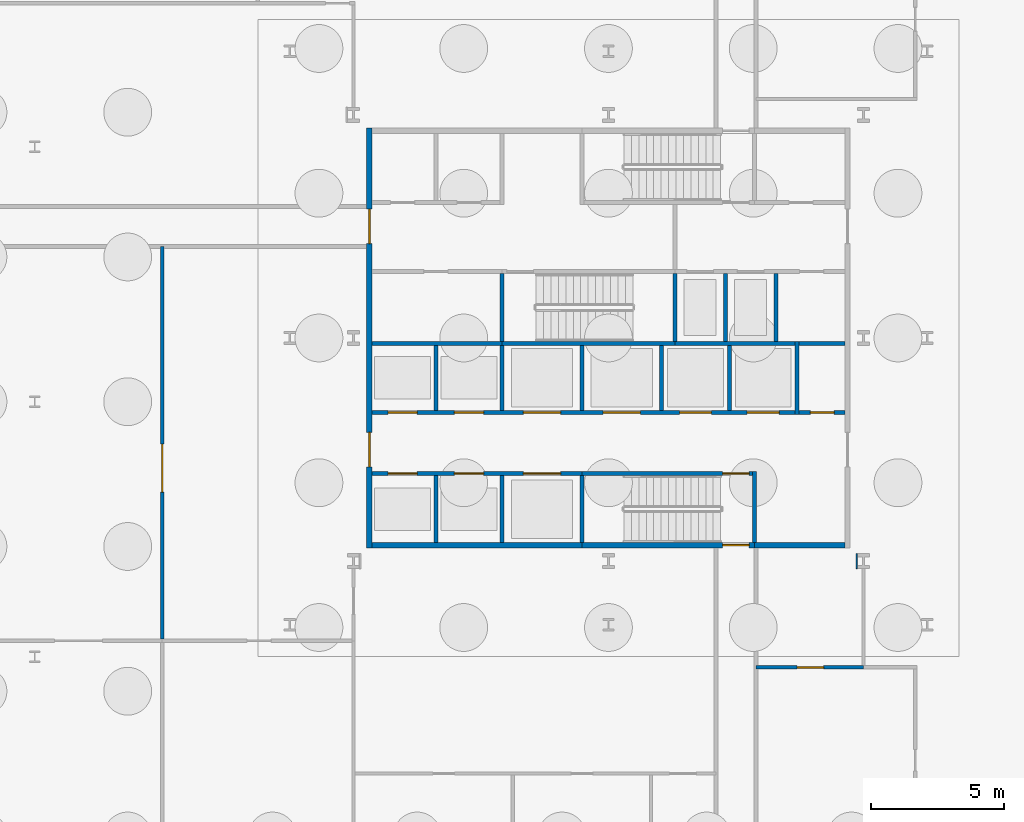
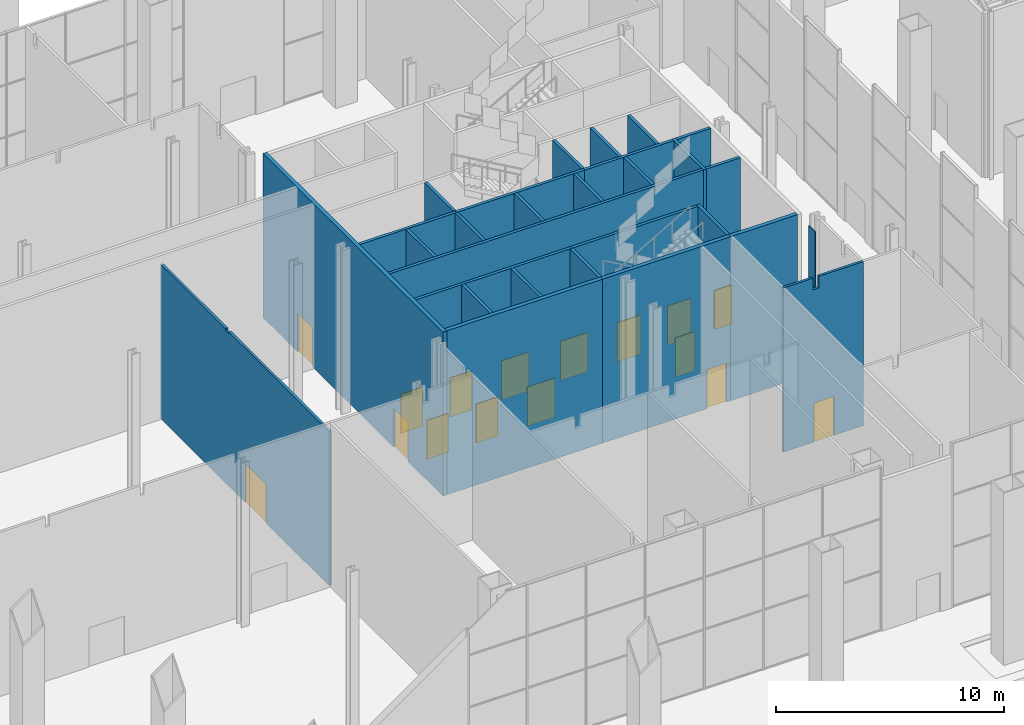
# One storey, part 24 of 38: 29 walls, 16 doors, 16 openings.
"""IFC4 building model written with IfcOpenShell, lengths in metres."""

from ifc_helpers import new_model, si_unit, direction, frame, frame_2d, origin, place, context, subcontext, project, spatial, polyline, rectangle, outline, extrude, material, layer, layer_set, type_object, element, fill, save


model = new_model("IFC4")

# Units and contexts
model_context = context("Model", 3, precision=1e-05, world=origin(), true_north=direction((0.0, 1.0)))
body_context = subcontext(model_context, "Body", "Model", "MODEL_VIEW")
ifc_project = project(units=[si_unit("LENGTHUNIT", "METRE"), si_unit("AREAUNIT", "SQUARE_METRE"), si_unit("VOLUMEUNIT", "CUBIC_METRE"), si_unit("PLANEANGLEUNIT", "RADIAN"), si_unit("MASSUNIT", "GRAM", prefix="KILO")], contexts=[model_context])

# Site, building, storey
site_placement = place(None, origin())
site = spatial("IfcSite", under=ifc_project, at=site_placement, CompositionType="ELEMENT")
building_placement = place(site_placement, origin())
building = spatial("IfcBuilding", under=site, at=building_placement, Name="Cairn Pilgrim Tower", CompositionType="ELEMENT")
storey_placement = place(building_placement, origin())
storey = spatial("IfcBuildingStorey", under=building, at=storey_placement, Name="L00", CompositionType="ELEMENT", Elevation=0.0)

# Walls
ifc_material_1 = material(Name="Concrete C32/40", Category="concrete")
ifc_layer_1 = layer(ifc_material_1, 0.199951171875)
ifc_layer_set_1 = layer_set([ifc_layer_1], Name="CORE OUTER WALL 200 EI 120")
wall_type_1 = type_object("IfcWallType", Name="CORE OUTER WALL 200 EI 120", PredefinedType="SOLIDWALL", material=ifc_layer_set_1)
wall_1_placement = place(storey_placement, frame((-1.699951171875, -5.39990234375, 0.0), z_axis=(0.0, 0.0, 1.0), x_axis=(1.0, 0.0, 0.0)))
element("IfcWall", 1, at=wall_1_placement, inside=storey, type_object=wall_type_1, Name="CW:L00:H01-1", PredefinedType="SOLIDWALL", context=body_context, shape_type="SweptSolid", body=[
    extrude(rectangle(XDim=7.89990234375, YDim=0.199951171875, at=frame_2d((3.949951171875, 0.0))), origin(), (0.0, 0.0, 1.0), 8.800048828125),
])
wall_2_placement = place(storey_placement, frame((12.699951171875, -5.39990234375, 0.0), z_axis=(0.0, 0.0, 1.0), x_axis=(1.0, 0.0, 0.0)))
element("IfcWall", 2, at=wall_2_placement, inside=storey, type_object=wall_type_1, Name="CW:L00:H01-3", PredefinedType="SOLIDWALL", context=body_context, shape_type="SweptSolid", body=[
    extrude(rectangle(XDim=3.400146484375, YDim=0.199951171875, at=frame_2d((1.7001953125, 0.0))), origin(), (0.0, 0.0, 1.0), 8.800048828125),
])

# Wall, openings, doors
wall_3_placement = place(storey_placement, frame((-1.800048828125, -5.5, 0.0), z_axis=(0.0, 0.0, 1.0), x_axis=(0.0, 1.0, 0.0)))
wall_3 = element("IfcWall", 3, at=wall_3_placement, inside=storey, type_object=wall_type_1, Name="CW:L00:V11", PredefinedType="SOLIDWALL", context=body_context, shape_type="SweptSolid", body=[
    extrude(rectangle(XDim=15.800048828125, YDim=0.199951171875, at=frame_2d((7.89990234375, 0.0))), origin(), (0.0, 0.0, 1.0), 8.800048828125),
])
opening_1_placement = place(wall_3_placement, frame((3.050048828125, 0.0, 0.0)))
opening_1 = element("IfcOpeningElement", 4, at=opening_1_placement, cuts=wall_3, Name="Opening CD-W1", PredefinedType="OPENING", context=body_context, shape_type="SweptSolid", body=[
    extrude(rectangle(XDim=1.300048828125, YDim=2.10009765625, at=frame_2d((0.64990234375, 1.050048828125))), frame((0.0, 0.10986328125, 0.0), z_axis=(0.0, -1.0, 0.0), x_axis=(1.0, 0.0, 0.0)), (0.0, 0.0, 1.0), 0.219970703125),
])
opening_2_placement = place(wall_3_placement, frame((11.449951171875, 0.0, 0.0)))
opening_2 = element("IfcOpeningElement", 5, at=opening_2_placement, cuts=wall_3, Name="Opening CD-W2", PredefinedType="OPENING", context=body_context, shape_type="SweptSolid", body=[
    extrude(rectangle(XDim=1.300048828125, YDim=2.10009765625, at=frame_2d((0.64990234375, 1.050048828125))), frame((0.0, 0.10986328125, 0.0), z_axis=(0.0, -1.0, 0.0), x_axis=(1.0, 0.0, 0.0)), (0.0, 0.0, 1.0), 0.219970703125),
])
ifc_material_2 = material(Name="Painted steel", Category="steel")
door_type_1 = type_object("IfcDoorType", Name="CORE LOBBY DOOR 1300x2100", OperationType="DOUBLE_DOOR_SINGLE_SWING", PredefinedType="DOOR", material=ifc_material_2)
door_1_placement = place(opening_1_placement, origin())
door_1 = element("IfcDoor", 6, at=door_1_placement, inside=storey, type_object=door_type_1, Name="CD-W1", OperationType="DOUBLE_DOOR_SINGLE_SWING", OverallHeight=2.10009765625, OverallWidth=1.300048828125, PredefinedType="DOOR", context=body_context, shape_type="SweptSolid", body=[
    extrude(rectangle(XDim=1.300048828125, YDim=2.10009765625, at=frame_2d((0.64990234375, 1.050048828125))), frame((0.0, 0.02490234375, 0.0), z_axis=(0.0, -1.0, 0.0), x_axis=(1.0, 0.0, 0.0)), (0.0, 0.0, 1.0), 0.050048828125),
])
fill(opening_1, door_1)
door_2_placement = place(opening_2_placement, origin())
door_2 = element("IfcDoor", 7, at=door_2_placement, inside=storey, type_object=door_type_1, Name="CD-W2", OperationType="DOUBLE_DOOR_SINGLE_SWING", OverallHeight=2.10009765625, OverallWidth=1.300048828125, PredefinedType="DOOR", context=body_context, shape_type="SweptSolid", body=[
    extrude(rectangle(XDim=1.300048828125, YDim=2.10009765625, at=frame_2d((0.64990234375, 1.050048828125))), frame((0.0, 0.02490234375, 0.0), z_axis=(0.0, -1.0, 0.0), x_axis=(1.0, 0.0, 0.0)), (0.0, 0.0, 1.0), 0.050048828125),
])
fill(opening_2, door_2)

# Wall, opening, door
ifc_layer_2 = layer(ifc_material_1, 0.14990234375)
ifc_layer_set_2 = layer_set([ifc_layer_2], Name="CORE PARTITION 150 EI 60")
wall_type_2 = type_object("IfcWallType", Name="CORE PARTITION 150 EI 60", PredefinedType="PARTITIONING", material=ifc_layer_set_2)
wall_4_placement = place(storey_placement, frame((14.375, -0.39990234375, 0.0), z_axis=(0.0, 0.0, 1.0), x_axis=(1.0, 0.0, 0.0)))
wall_4 = element("IfcWall", 8, at=wall_4_placement, inside=storey, type_object=wall_type_2, Name="CW:L00:H04", PredefinedType="PARTITIONING", context=body_context, shape_type="SweptSolid", body=[
    extrude(rectangle(XDim=1.72509765625, YDim=0.14990234375, at=frame_2d((0.862548828125, 0.0))), origin(), (0.0, 0.0, 1.0), 8.800048828125),
])
opening_3_placement = place(wall_4_placement, frame((0.425048828125, 0.0, 0.0)))
opening_3 = element("IfcOpeningElement", 9, at=opening_3_placement, cuts=wall_4, Name="Opening RD-R2E", PredefinedType="OPENING", context=body_context, shape_type="SweptSolid", body=[
    extrude(rectangle(XDim=0.89990234375, YDim=2.10009765625, at=frame_2d((0.449951171875, 1.050048828125))), frame((0.0, 0.0849609375, 0.0), z_axis=(0.0, -1.0, 0.0), x_axis=(1.0, 0.0, 0.0)), (0.0, 0.0, 1.0), 0.169921875),
])
door_type_2 = type_object("IfcDoorType", Name="SERVICE ROOM DOOR 900x2100", OperationType="SINGLE_SWING_LEFT", PredefinedType="DOOR", material=ifc_material_2)
door_3_placement = place(opening_3_placement, origin())
door_3 = element("IfcDoor", 10, at=door_3_placement, inside=storey, type_object=door_type_2, Name="RD-R2E", OperationType="SINGLE_SWING_RIGHT", OverallHeight=2.10009765625, OverallWidth=0.89990234375, PredefinedType="DOOR", context=body_context, shape_type="SweptSolid", body=[
    extrude(rectangle(XDim=0.89990234375, YDim=2.10009765625, at=frame_2d((0.449951171875, 1.050048828125))), frame((0.0, 0.02490234375, 0.0), z_axis=(0.0, -1.0, 0.0), x_axis=(1.0, 0.0, 0.0)), (0.0, 0.0, 1.0), 0.050048828125),
])
fill(opening_3, door_3)

# Wall
wall_5_placement = place(storey_placement, frame((14.375, 2.199951171875, 0.0), z_axis=(0.0, 0.0, 1.0), x_axis=(1.0, 0.0, 0.0)))
element("IfcWall", 11, at=wall_5_placement, inside=storey, type_object=wall_type_2, Name="CW:L00:H06", PredefinedType="PARTITIONING", context=body_context, shape_type="SweptSolid", body=[
    extrude(rectangle(XDim=1.72509765625, YDim=0.14990234375, at=frame_2d((0.862548828125, 0.0))), origin(), (0.0, 0.0, 1.0), 8.800048828125),
])

# Wall, openings, doors
ifc_layer_3 = layer(ifc_material_1, 0.14990234375)
ifc_layer_set_3 = layer_set([ifc_layer_3], Name="CORE SHAFT WALL 150 EI 120")
wall_type_3 = type_object("IfcWallType", Name="CORE SHAFT WALL 150 EI 120", PredefinedType="SOLIDWALL", material=ifc_layer_set_3)
wall_6_placement = place(storey_placement, frame((-1.699951171875, -2.699951171875, 0.0), z_axis=(0.0, 0.0, 1.0), x_axis=(1.0, 0.0, 0.0)))
wall_6 = element("IfcWall", 12, at=wall_6_placement, inside=storey, type_object=wall_type_3, Name="CW:L00:H02-1", PredefinedType="SOLIDWALL", context=body_context, shape_type="SweptSolid", body=[
    extrude(rectangle(XDim=7.89990234375, YDim=0.14990234375, at=frame_2d((3.949951171875, 0.0))), origin(), (0.0, 0.0, 1.0), 8.800048828125),
])
opening_4_placement = place(wall_6_placement, frame((0.60009765625, 0.0, 0.0)))
opening_4 = element("IfcOpeningElement", 13, at=opening_4_placement, cuts=wall_6, Name="Opening LD-LR1", PredefinedType="OPENING", context=body_context, shape_type="SweptSolid", body=[
    extrude(rectangle(XDim=1.10009765625, YDim=2.10009765625, at=frame_2d((0.550048828125, 1.050048828125))), frame((0.0, 0.0849609375, 0.0), z_axis=(0.0, -1.0, 0.0), x_axis=(1.0, 0.0, 0.0)), (0.0, 0.0, 1.0), 0.169921875),
])
opening_5_placement = place(wall_6_placement, frame((3.10009765625, 0.0, 0.0)))
opening_5 = element("IfcOpeningElement", 14, at=opening_5_placement, cuts=wall_6, Name="Opening LD-LR2", PredefinedType="OPENING", context=body_context, shape_type="SweptSolid", body=[
    extrude(rectangle(XDim=1.10009765625, YDim=2.10009765625, at=frame_2d((0.550048828125, 1.050048828125))), frame((0.0, 0.0849609375, 0.0), z_axis=(0.0, -1.0, 0.0), x_axis=(1.0, 0.0, 0.0)), (0.0, 0.0, 1.0), 0.169921875),
])
opening_6_placement = place(wall_6_placement, frame((5.699951171875, 0.0, 0.0)))
opening_6 = element("IfcOpeningElement", 15, at=opening_6_placement, cuts=wall_6, Name="Opening LD-SH1", PredefinedType="OPENING", context=body_context, shape_type="SweptSolid", body=[
    extrude(rectangle(XDim=1.39990234375, YDim=2.10009765625, at=frame_2d((0.699951171875, 1.050048828125))), frame((0.0, 0.0849609375, 0.0), z_axis=(0.0, -1.0, 0.0), x_axis=(1.0, 0.0, 0.0)), (0.0, 0.0, 1.0), 0.169921875),
])
ifc_material_3 = material(Name="Stainless steel", Category="steel")
door_type_3 = type_object("IfcDoorType", Name="LIFT LANDING DOOR 1100x2100", OperationType="DOUBLE_DOOR_SLIDING", PredefinedType="DOOR", material=ifc_material_3)
door_4_placement = place(opening_4_placement, origin())
door_4 = element("IfcDoor", 16, at=door_4_placement, inside=storey, type_object=door_type_3, Name="LANDING DOOR LR1", OperationType="DOUBLE_DOOR_SLIDING", OverallHeight=2.10009765625, OverallWidth=1.10009765625, PredefinedType="DOOR", context=body_context, shape_type="SweptSolid", body=[
    extrude(rectangle(XDim=1.10009765625, YDim=2.10009765625, at=frame_2d((0.550048828125, 1.050048828125))), frame((0.0, 0.02490234375, 0.0), z_axis=(0.0, -1.0, 0.0), x_axis=(1.0, 0.0, 0.0)), (0.0, 0.0, 1.0), 0.050048828125),
])
fill(opening_4, door_4)
door_5_placement = place(opening_5_placement, origin())
door_5 = element("IfcDoor", 17, at=door_5_placement, inside=storey, type_object=door_type_3, Name="LANDING DOOR LR2", OperationType="DOUBLE_DOOR_SLIDING", OverallHeight=2.10009765625, OverallWidth=1.10009765625, PredefinedType="DOOR", context=body_context, shape_type="SweptSolid", body=[
    extrude(rectangle(XDim=1.10009765625, YDim=2.10009765625, at=frame_2d((0.550048828125, 1.050048828125))), frame((0.0, 0.02490234375, 0.0), z_axis=(0.0, -1.0, 0.0), x_axis=(1.0, 0.0, 0.0)), (0.0, 0.0, 1.0), 0.050048828125),
])
fill(opening_5, door_5)
door_type_4 = type_object("IfcDoorType", Name="LIFT LANDING DOOR 1400x2100", OperationType="DOUBLE_DOOR_SLIDING", PredefinedType="DOOR", material=ifc_material_3)
door_6_placement = place(opening_6_placement, origin())
door_6 = element("IfcDoor", 18, at=door_6_placement, inside=storey, type_object=door_type_4, Name="LANDING DOOR SH1", OperationType="DOUBLE_DOOR_SLIDING", OverallHeight=2.10009765625, OverallWidth=1.39990234375, PredefinedType="DOOR", context=body_context, shape_type="SweptSolid", body=[
    extrude(rectangle(XDim=1.39990234375, YDim=2.10009765625, at=frame_2d((0.699951171875, 1.050048828125))), frame((0.0, 0.02490234375, 0.0), z_axis=(0.0, -1.0, 0.0), x_axis=(1.0, 0.0, 0.0)), (0.0, 0.0, 1.0), 0.050048828125),
])
fill(opening_6, door_6)

wall_7_placement = place(storey_placement, frame((-1.699951171875, -0.39990234375, 0.0), z_axis=(0.0, 0.0, 1.0), x_axis=(1.0, 0.0, 0.0)))
wall_7 = element("IfcWall", 19, at=wall_7_placement, inside=storey, type_object=wall_type_3, Name="CW:L00:H03", PredefinedType="SOLIDWALL", context=body_context, shape_type="SweptSolid", body=[
    extrude(rectangle(XDim=15.925048828125, YDim=0.14990234375, at=frame_2d((7.96240234375, 0.0))), origin(), (0.0, 0.0, 1.0), 8.800048828125),
])
opening_7_placement = place(wall_7_placement, frame((0.60009765625, 0.0, 0.0)))
opening_7 = element("IfcOpeningElement", 20, at=opening_7_placement, cuts=wall_7, Name="Opening LD-LR3", PredefinedType="OPENING", context=body_context, shape_type="SweptSolid", body=[
    extrude(rectangle(XDim=1.10009765625, YDim=2.10009765625, at=frame_2d((0.550048828125, 1.050048828125))), frame((0.0, 0.0849609375, 0.0), z_axis=(0.0, -1.0, 0.0), x_axis=(1.0, 0.0, 0.0)), (0.0, 0.0, 1.0), 0.169921875),
])
opening_8_placement = place(wall_7_placement, frame((3.10009765625, 0.0, 0.0)))
opening_8 = element("IfcOpeningElement", 21, at=opening_8_placement, cuts=wall_7, Name="Opening LD-LR4", PredefinedType="OPENING", context=body_context, shape_type="SweptSolid", body=[
    extrude(rectangle(XDim=1.10009765625, YDim=2.10009765625, at=frame_2d((0.550048828125, 1.050048828125))), frame((0.0, 0.0849609375, 0.0), z_axis=(0.0, -1.0, 0.0), x_axis=(1.0, 0.0, 0.0)), (0.0, 0.0, 1.0), 0.169921875),
])
opening_9_placement = place(wall_7_placement, frame((5.699951171875, 0.0, 0.0)))
opening_9 = element("IfcOpeningElement", 22, at=opening_9_placement, cuts=wall_7, Name="Opening LD-SH2", PredefinedType="OPENING", context=body_context, shape_type="SweptSolid", body=[
    extrude(rectangle(XDim=1.39990234375, YDim=2.10009765625, at=frame_2d((0.699951171875, 1.050048828125))), frame((0.0, 0.0849609375, 0.0), z_axis=(0.0, -1.0, 0.0), x_axis=(1.0, 0.0, 0.0)), (0.0, 0.0, 1.0), 0.169921875),
])
opening_10_placement = place(wall_7_placement, frame((8.699951171875, 0.0, 0.0)))
opening_10 = element("IfcOpeningElement", 23, at=opening_10_placement, cuts=wall_7, Name="Opening LD-SH3", PredefinedType="OPENING", context=body_context, shape_type="SweptSolid", body=[
    extrude(rectangle(XDim=1.39990234375, YDim=2.10009765625, at=frame_2d((0.699951171875, 1.050048828125))), frame((0.0, 0.0849609375, 0.0), z_axis=(0.0, -1.0, 0.0), x_axis=(1.0, 0.0, 0.0)), (0.0, 0.0, 1.0), 0.169921875),
])
opening_11_placement = place(wall_7_placement, frame((11.574951171875, 0.0, 0.0)))
opening_11 = element("IfcOpeningElement", 24, at=opening_11_placement, cuts=wall_7, Name="Opening LD-SV1", PredefinedType="OPENING", context=body_context, shape_type="SweptSolid", body=[
    extrude(rectangle(XDim=1.199951171875, YDim=2.10009765625, at=frame_2d((0.60009765625, 1.050048828125))), frame((0.0, 0.0849609375, 0.0), z_axis=(0.0, -1.0, 0.0), x_axis=(1.0, 0.0, 0.0)), (0.0, 0.0, 1.0), 0.169921875),
])
opening_12_placement = place(wall_7_placement, frame((14.125, 0.0, 0.0)))
opening_12 = element("IfcOpeningElement", 25, at=opening_12_placement, cuts=wall_7, Name="Opening LD-SV2", PredefinedType="OPENING", context=body_context, shape_type="SweptSolid", body=[
    extrude(rectangle(XDim=1.199951171875, YDim=2.10009765625, at=frame_2d((0.60009765625, 1.050048828125))), frame((0.0, 0.0849609375, 0.0), z_axis=(0.0, -1.0, 0.0), x_axis=(1.0, 0.0, 0.0)), (0.0, 0.0, 1.0), 0.169921875),
])
door_7_placement = place(opening_7_placement, origin())
door_7 = element("IfcDoor", 26, at=door_7_placement, inside=storey, type_object=door_type_3, Name="LANDING DOOR LR3", OperationType="DOUBLE_DOOR_SLIDING", OverallHeight=2.10009765625, OverallWidth=1.10009765625, PredefinedType="DOOR", context=body_context, shape_type="SweptSolid", body=[
    extrude(rectangle(XDim=1.10009765625, YDim=2.10009765625, at=frame_2d((0.550048828125, 1.050048828125))), frame((0.0, 0.02490234375, 0.0), z_axis=(0.0, -1.0, 0.0), x_axis=(1.0, 0.0, 0.0)), (0.0, 0.0, 1.0), 0.050048828125),
])
fill(opening_7, door_7)
door_8_placement = place(opening_8_placement, origin())
door_8 = element("IfcDoor", 27, at=door_8_placement, inside=storey, type_object=door_type_3, Name="LANDING DOOR LR4", OperationType="DOUBLE_DOOR_SLIDING", OverallHeight=2.10009765625, OverallWidth=1.10009765625, PredefinedType="DOOR", context=body_context, shape_type="SweptSolid", body=[
    extrude(rectangle(XDim=1.10009765625, YDim=2.10009765625, at=frame_2d((0.550048828125, 1.050048828125))), frame((0.0, 0.02490234375, 0.0), z_axis=(0.0, -1.0, 0.0), x_axis=(1.0, 0.0, 0.0)), (0.0, 0.0, 1.0), 0.050048828125),
])
fill(opening_8, door_8)
door_type_5 = type_object("IfcDoorType", Name="LIFT LANDING DOOR 1200x2100", OperationType="DOUBLE_DOOR_SLIDING", PredefinedType="DOOR", material=ifc_material_3)
door_9_placement = place(opening_11_placement, origin())
door_9 = element("IfcDoor", 28, at=door_9_placement, inside=storey, type_object=door_type_5, Name="LANDING DOOR SV1", OperationType="DOUBLE_DOOR_SLIDING", OverallHeight=2.10009765625, OverallWidth=1.199951171875, PredefinedType="DOOR", context=body_context, shape_type="SweptSolid", body=[
    extrude(rectangle(XDim=1.199951171875, YDim=2.10009765625, at=frame_2d((0.60009765625, 1.050048828125))), frame((0.0, 0.02490234375, 0.0), z_axis=(0.0, -1.0, 0.0), x_axis=(1.0, 0.0, 0.0)), (0.0, 0.0, 1.0), 0.050048828125),
])
fill(opening_11, door_9)
door_10_placement = place(opening_12_placement, origin())
door_10 = element("IfcDoor", 29, at=door_10_placement, inside=storey, type_object=door_type_5, Name="LANDING DOOR SV2", OperationType="DOUBLE_DOOR_SLIDING", OverallHeight=2.10009765625, OverallWidth=1.199951171875, PredefinedType="DOOR", context=body_context, shape_type="SweptSolid", body=[
    extrude(rectangle(XDim=1.199951171875, YDim=2.10009765625, at=frame_2d((0.60009765625, 1.050048828125))), frame((0.0, 0.02490234375, 0.0), z_axis=(0.0, -1.0, 0.0), x_axis=(1.0, 0.0, 0.0)), (0.0, 0.0, 1.0), 0.050048828125),
])
fill(opening_12, door_10)
door_11_placement = place(opening_9_placement, origin())
door_11 = element("IfcDoor", 30, at=door_11_placement, inside=storey, type_object=door_type_4, Name="LANDING DOOR SH2", OperationType="DOUBLE_DOOR_SLIDING", OverallHeight=2.10009765625, OverallWidth=1.39990234375, PredefinedType="DOOR", context=body_context, shape_type="SweptSolid", body=[
    extrude(rectangle(XDim=1.39990234375, YDim=2.10009765625, at=frame_2d((0.699951171875, 1.050048828125))), frame((0.0, 0.02490234375, 0.0), z_axis=(0.0, -1.0, 0.0), x_axis=(1.0, 0.0, 0.0)), (0.0, 0.0, 1.0), 0.050048828125),
])
fill(opening_9, door_11)
door_12_placement = place(opening_10_placement, origin())
door_12 = element("IfcDoor", 31, at=door_12_placement, inside=storey, type_object=door_type_4, Name="LANDING DOOR SH3", OperationType="DOUBLE_DOOR_SLIDING", OverallHeight=2.10009765625, OverallWidth=1.39990234375, PredefinedType="DOOR", context=body_context, shape_type="SweptSolid", body=[
    extrude(rectangle(XDim=1.39990234375, YDim=2.10009765625, at=frame_2d((0.699951171875, 1.050048828125))), frame((0.0, 0.02490234375, 0.0), z_axis=(0.0, -1.0, 0.0), x_axis=(1.0, 0.0, 0.0)), (0.0, 0.0, 1.0), 0.050048828125),
])
fill(opening_10, door_12)

# Walls
wall_8_placement = place(storey_placement, frame((-1.699951171875, 2.199951171875, 0.0), z_axis=(0.0, 0.0, 1.0), x_axis=(1.0, 0.0, 0.0)))
element("IfcWall", 32, at=wall_8_placement, inside=storey, type_object=wall_type_3, Name="CW:L00:H05-1", PredefinedType="SOLIDWALL", context=body_context, shape_type="SweptSolid", body=[
    extrude(rectangle(XDim=4.89990234375, YDim=0.14990234375, at=frame_2d((2.449951171875, 0.0))), origin(), (0.0, 0.0, 1.0), 8.800048828125),
])
wall_9_placement = place(storey_placement, frame((9.699951171875, 2.199951171875, 0.0), z_axis=(0.0, 0.0, 1.0), x_axis=(1.0, 0.0, 0.0)))
element("IfcWall", 33, at=wall_9_placement, inside=storey, type_object=wall_type_3, Name="CW:L00:H05-3", PredefinedType="SOLIDWALL", context=body_context, shape_type="SweptSolid", body=[
    extrude(rectangle(XDim=4.525146484375, YDim=0.14990234375, at=frame_2d((2.2626953125, 0.0))), origin(), (0.0, 0.0, 1.0), 8.800048828125),
])
wall_10_placement = place(storey_placement, frame((0.699951171875, -5.300048828125, 0.0), z_axis=(0.0, 0.0, 1.0), x_axis=(0.0, 1.0, 0.0)))
element("IfcWall", 34, at=wall_10_placement, inside=storey, type_object=wall_type_3, Name="CW:L00:V12", PredefinedType="SOLIDWALL", context=body_context, shape_type="SweptSolid", body=[
    extrude(rectangle(XDim=2.525146484375, YDim=0.14990234375, at=frame_2d((1.2626953125, 0.0))), origin(), (0.0, 0.0, 1.0), 8.800048828125),
])
wall_11_placement = place(storey_placement, frame((0.699951171875, -0.324951171875, 0.0), z_axis=(0.0, 0.0, 1.0), x_axis=(0.0, 1.0, 0.0)))
element("IfcWall", 35, at=wall_11_placement, inside=storey, type_object=wall_type_3, Name="CW:L00:V13", PredefinedType="SOLIDWALL", context=body_context, shape_type="SweptSolid", body=[
    extrude(rectangle(XDim=2.449951171875, YDim=0.14990234375, at=frame_2d((1.22509765625, 0.0))), origin(), (0.0, 0.0, 1.0), 8.800048828125),
])
wall_12_placement = place(storey_placement, frame((3.199951171875, -5.300048828125, 0.0), z_axis=(0.0, 0.0, 1.0), x_axis=(0.0, 1.0, 0.0)))
element("IfcWall", 36, at=wall_12_placement, inside=storey, type_object=wall_type_3, Name="CW:L00:V15", PredefinedType="SOLIDWALL", context=body_context, shape_type="SweptSolid", body=[
    extrude(rectangle(XDim=2.525146484375, YDim=0.14990234375, at=frame_2d((1.2626953125, 0.0))), origin(), (0.0, 0.0, 1.0), 8.800048828125),
])
for number, where, z_axis, x_axis, name in (
    (37, (3.199951171875, -0.324951171875, 0.0), (0.0, 0.0, 1.0), (0.0, 1.0, 0.0), "CW:L00:V16"),
    (38, (6.199951171875, -0.324951171875, 0.0), (0.0, 0.0, 1.0), (0.0, 1.0, 0.0), "CW:L00:V20"),
    (39, (9.199951171875, -0.324951171875, 0.0), (0.0, 0.0, 1.0), (0.0, 1.0, 0.0), "CW:L00:V22"),
):
    element("IfcWall", number, at=place(storey_placement, frame(where, z_axis=z_axis, x_axis=x_axis)), inside=storey, type_object=wall_type_3, Name=name, PredefinedType="SOLIDWALL", context=body_context, shape_type="SweptSolid", body=[
        extrude(rectangle(XDim=2.449951171875, YDim=0.14990234375, at=frame_2d((1.22509765625, 0.0))), origin(), (0.0, 0.0, 1.0), 8.800048828125),
    ])
wall_13_placement = place(storey_placement, frame((11.60009765625, 2.27490234375, 0.0), z_axis=(0.0, 0.0, 1.0), x_axis=(0.0, 1.0, 0.0)))
element("IfcWall", 40, at=wall_13_placement, inside=storey, type_object=wall_type_3, Name="CW:L00:V25", PredefinedType="SOLIDWALL", context=body_context, shape_type="SweptSolid", body=[
    extrude(rectangle(XDim=2.550048828125, YDim=0.14990234375, at=frame_2d((1.27490234375, 0.0))), origin(), (0.0, 0.0, 1.0), 8.800048828125),
])
wall_14_placement = place(storey_placement, frame((11.75, -0.324951171875, 0.0), z_axis=(0.0, 0.0, 1.0), x_axis=(0.0, 1.0, 0.0)))
element("IfcWall", 41, at=wall_14_placement, inside=storey, type_object=wall_type_3, Name="CW:L00:V26", PredefinedType="SOLIDWALL", context=body_context, shape_type="SweptSolid", body=[
    extrude(rectangle(XDim=2.449951171875, YDim=0.14990234375, at=frame_2d((1.22509765625, 0.0))), origin(), (0.0, 0.0, 1.0), 8.800048828125),
])
wall_15_placement = place(storey_placement, frame((13.5, 2.27490234375, 0.0), z_axis=(0.0, 0.0, 1.0), x_axis=(0.0, 1.0, 0.0)))
element("IfcWall", 42, at=wall_15_placement, inside=storey, type_object=wall_type_3, Name="CW:L00:V29", PredefinedType="SOLIDWALL", context=body_context, shape_type="SweptSolid", body=[
    extrude(rectangle(XDim=2.550048828125, YDim=0.14990234375, at=frame_2d((1.27490234375, 0.0))), origin(), (0.0, 0.0, 1.0), 8.800048828125),
])
wall_16_placement = place(storey_placement, frame((14.300048828125, -0.47509765625, 0.0), z_axis=(0.0, 0.0, 1.0), x_axis=(0.0, 1.0, 0.0)))
element("IfcWall", 43, at=wall_16_placement, inside=storey, type_object=wall_type_3, Name="CW:L00:V30", PredefinedType="SOLIDWALL", context=body_context, shape_type="SweptSolid", body=[
    extrude(rectangle(XDim=2.75, YDim=0.14990234375, at=frame_2d((1.375, 0.0))), origin(), (0.0, 0.0, 1.0), 8.800048828125),
])

# Wall, opening, door
ifc_material_4 = material(Name="Gypsum partition")
ifc_layer_4 = layer(ifc_material_4, 0.125)
ifc_layer_set_4 = layer_set([ifc_layer_4], Name="PARTITION 125 DRYWALL EI 60")
wall_type_4 = type_object("IfcWallType", Name="PARTITION 125 DRYWALL EI 60", PredefinedType="PARTITIONING", material=ifc_layer_set_4)
wall_17_placement = place(storey_placement, frame((12.75, -10.0, 0.0), z_axis=(0.0, 0.0, 1.0), x_axis=(1.0, 0.0, 0.0)))
wall_17 = element("IfcWall", 44, at=wall_17_placement, inside=storey, type_object=wall_type_4, Name="PARTITION W011", PredefinedType="PARTITIONING", context=body_context, shape_type="SweptSolid", body=[
    extrude(outline(polyline([(0.0, 0.0), (4.050048828125, 0.0), (4.050048828125, 8.800048828125), (1.800048828125, 8.800048828125), (1.798095703125, 8.179931640625), (1.5, 8.179931640625), (1.498046875, 8.800048828125), (0.0, 8.800048828125), (0.0, 0.0)])), frame((0.0, 0.0625, 0.0), z_axis=(0.0, -1.0, 0.0), x_axis=(1.0, 0.0, 0.0)), (0.0, 0.0, 1.0), 0.125),
])
opening_13_placement = place(wall_17_placement, frame((1.550048828125, 0.0, 0.0)))
opening_13 = element("IfcOpeningElement", 45, at=opening_13_placement, cuts=wall_17, Name="Opening 0005", PredefinedType="OPENING", context=body_context, shape_type="SweptSolid", body=[
    extrude(rectangle(XDim=1.0, YDim=2.10009765625, at=frame_2d((0.5, 1.050048828125))), frame((0.0, 0.072509765625, 0.0), z_axis=(0.0, -1.0, 0.0), x_axis=(1.0, 0.0, 0.0)), (0.0, 0.0, 1.0), 0.14501953125),
])
ifc_material_5 = material(Name="Timber door leaf", Category="wood")
door_type_6 = type_object("IfcDoorType", Name="ACCESSIBLE DOOR 1000x2100 FD30S", OperationType="NOTDEFINED", PredefinedType="DOOR", material=ifc_material_5)
door_13_placement = place(opening_13_placement, origin())
door_13 = element("IfcDoor", 46, at=door_13_placement, inside=storey, type_object=door_type_6, Name="DOOR 0005", OperationType="SINGLE_SWING_RIGHT", OverallHeight=2.10009765625, OverallWidth=1.0, PredefinedType="DOOR", context=body_context, shape_type="SweptSolid", body=[
    extrude(rectangle(XDim=1.0, YDim=2.10009765625, at=frame_2d((0.5, 1.050048828125))), frame((0.0, 0.02490234375, 0.0), z_axis=(0.0, -1.0, 0.0), x_axis=(1.0, 0.0, 0.0)), (0.0, 0.0, 1.0), 0.050048828125),
])
fill(opening_13, door_13)

wall_18_placement = place(storey_placement, frame((-9.60009765625, -8.9375, 0.0), z_axis=(0.0, 0.0, 1.0), x_axis=(0.0, 1.0, 0.0)))
wall_18 = element("IfcWall", 47, at=wall_18_placement, inside=storey, type_object=wall_type_4, Name="PARTITION W017", PredefinedType="PARTITIONING", context=body_context, shape_type="SweptSolid", body=[
    extrude(outline(polyline([(0.0, 0.0), (14.78759765625, 0.0), (14.78759765625, 8.280029296875), (9.08740234375, 8.280029296875), (9.08544921875, 8.179931640625), (8.78759765625, 8.179931640625), (8.785400390625, 8.280029296875), (0.0, 8.280029296875), (0.0, 0.0)])), frame((0.0, 0.0625, 0.0), z_axis=(0.0, -1.0, 0.0), x_axis=(1.0, 0.0, 0.0)), (0.0, 0.0, 1.0), 0.125),
])
opening_14_placement = place(wall_18_placement, frame((5.53759765625, 0.0, 0.0)))
opening_14 = element("IfcOpeningElement", 48, at=opening_14_placement, cuts=wall_18, Name="Opening 0008", PredefinedType="OPENING", context=body_context, shape_type="SweptSolid", body=[
    extrude(rectangle(XDim=1.800048828125, YDim=2.10009765625, at=frame_2d((0.89990234375, 1.050048828125))), frame((0.0, 0.072509765625, 0.0), z_axis=(0.0, -1.0, 0.0), x_axis=(1.0, 0.0, 0.0)), (0.0, 0.0, 1.0), 0.14501953125),
])
door_type_7 = type_object("IfcDoorType", Name="DOOR PAIR 1800x2100 FD60S", OperationType="NOTDEFINED", PredefinedType="DOOR", material=ifc_material_5)
door_14_placement = place(opening_14_placement, frame((1.800048828125, 0.0, 0.0), z_axis=(0.0, 0.0, 1.0), x_axis=(-1.0, 0.0, 0.0)))
door_14 = element("IfcDoor", 49, at=door_14_placement, inside=storey, type_object=door_type_7, Name="DOOR 0008", OperationType="DOUBLE_DOOR_SINGLE_SWING", OverallHeight=2.10009765625, OverallWidth=1.800048828125, PredefinedType="DOOR", context=body_context, shape_type="SweptSolid", body=[
    extrude(rectangle(XDim=1.800048828125, YDim=2.10009765625, at=frame_2d((0.89990234375, 1.050048828125))), frame((0.0, 0.02490234375, 0.0), z_axis=(0.0, -1.0, 0.0), x_axis=(1.0, 0.0, 0.0)), (0.0, 0.0, 1.0), 0.050048828125),
])
fill(opening_14, door_14)

# Wall
ifc_layer_5 = layer(ifc_material_4, 0.050048828125)
ifc_layer_set_5 = layer_set([ifc_layer_5], Name="PARTITION 50 DRYWALL EI 60")
wall_type_5 = type_object("IfcWallType", Name="PARTITION 50 DRYWALL EI 60", PredefinedType="PARTITIONING", material=ifc_layer_set_5)
wall_19_placement = place(storey_placement, frame((16.548095703125, -6.284423828125, 0.0), z_axis=(0.0, 0.0, 1.0), x_axis=(0.0, 1.0, 0.0)))
element("IfcWall", 50, at=wall_19_placement, inside=storey, type_object=wall_type_5, Name="COLUMN CASING WC02", PredefinedType="PARTITIONING", context=body_context, shape_type="SweptSolid", body=[
    extrude(rectangle(XDim=0.56884765625, YDim=0.050048828125, at=frame_2d((0.284423828125, 0.0))), origin(), (0.0, 0.0, 1.0), 8.179931640625),
])

# Wall, opening, door
ifc_material_6 = material(Name="Concrete C35/45", Category="concrete")
ifc_layer_6 = layer(ifc_material_6, 0.14990234375)
ifc_layer_set_6 = layer_set([ifc_layer_6], Name="STAIR SHAFT WALL 150 EI 120")
wall_type_6 = type_object("IfcWallType", Name="STAIR SHAFT WALL 150 EI 120", PredefinedType="SOLIDWALL", material=ifc_layer_set_6)
wall_20_placement = place(storey_placement, frame((6.199951171875, -2.699951171875, 0.0), z_axis=(0.0, 0.0, 1.0), x_axis=(1.0, 0.0, 0.0)))
wall_20 = element("IfcWall", 51, at=wall_20_placement, inside=storey, type_object=wall_type_6, Name="CW:L00:H02-2", PredefinedType="SOLIDWALL", context=body_context, shape_type="SweptSolid", body=[
    extrude(rectangle(XDim=6.425048828125, YDim=0.14990234375, at=frame_2d((3.21240234375, 0.0))), origin(), (0.0, 0.0, 1.0), 8.800048828125),
])
opening_15_placement = place(wall_20_placement, frame((5.300048828125, 0.0, 0.0)))
opening_15 = element("IfcOpeningElement", 52, at=opening_15_placement, cuts=wall_20, Name="Opening SD-A", PredefinedType="OPENING", context=body_context, shape_type="SweptSolid", body=[
    extrude(rectangle(XDim=1.0, YDim=2.10009765625, at=frame_2d((0.5, 1.050048828125))), frame((0.0, 0.0849609375, 0.0), z_axis=(0.0, -1.0, 0.0), x_axis=(1.0, 0.0, 0.0)), (0.0, 0.0, 1.0), 0.169921875),
])
door_type_8 = type_object("IfcDoorType", Name="STAIR DOOR FD60S 1000x2100", OperationType="SINGLE_SWING_LEFT", PredefinedType="DOOR", material=ifc_material_2)
door_15_placement = place(opening_15_placement, origin())
door_15 = element("IfcDoor", 53, at=door_15_placement, inside=storey, type_object=door_type_8, Name="SD-A", OperationType="SINGLE_SWING_LEFT", OverallHeight=2.10009765625, OverallWidth=1.0, PredefinedType="DOOR", context=body_context, shape_type="SweptSolid", body=[
    extrude(rectangle(XDim=1.0, YDim=2.10009765625, at=frame_2d((0.5, 1.050048828125))), frame((0.0, 0.02490234375, 0.0), z_axis=(0.0, -1.0, 0.0), x_axis=(1.0, 0.0, 0.0)), (0.0, 0.0, 1.0), 0.050048828125),
])
fill(opening_15, door_15)

# Walls
wall_21_placement = place(storey_placement, frame((3.199951171875, 2.199951171875, 0.0), z_axis=(0.0, 0.0, 1.0), x_axis=(1.0, 0.0, 0.0)))
element("IfcWall", 54, at=wall_21_placement, inside=storey, type_object=wall_type_6, Name="CW:L00:H05-2", PredefinedType="SOLIDWALL", context=body_context, shape_type="SweptSolid", body=[
    extrude(rectangle(XDim=6.5, YDim=0.14990234375, at=frame_2d((3.25, 0.0))), origin(), (0.0, 0.0, 1.0), 8.800048828125),
])
wall_22_placement = place(storey_placement, frame((3.199951171875, 2.27490234375, 0.0), z_axis=(0.0, 0.0, 1.0), x_axis=(0.0, 1.0, 0.0)))
element("IfcWall", 55, at=wall_22_placement, inside=storey, type_object=wall_type_6, Name="CW:L00:V17", PredefinedType="SOLIDWALL", context=body_context, shape_type="SweptSolid", body=[
    extrude(rectangle(XDim=2.550048828125, YDim=0.14990234375, at=frame_2d((1.27490234375, 0.0))), origin(), (0.0, 0.0, 1.0), 8.800048828125),
])
wall_23_placement = place(storey_placement, frame((6.199951171875, -5.300048828125, 0.0), z_axis=(0.0, 0.0, 1.0), x_axis=(0.0, 1.0, 0.0)))
element("IfcWall", 56, at=wall_23_placement, inside=storey, type_object=wall_type_6, Name="CW:L00:V19", PredefinedType="SOLIDWALL", context=body_context, shape_type="SweptSolid", body=[
    extrude(rectangle(XDim=2.525146484375, YDim=0.14990234375, at=frame_2d((1.2626953125, 0.0))), origin(), (0.0, 0.0, 1.0), 8.800048828125),
])
wall_24_placement = place(storey_placement, frame((9.699951171875, 2.27490234375, 0.0), z_axis=(0.0, 0.0, 1.0), x_axis=(0.0, 1.0, 0.0)))
element("IfcWall", 57, at=wall_24_placement, inside=storey, type_object=wall_type_6, Name="CW:L00:V23", PredefinedType="SOLIDWALL", context=body_context, shape_type="SweptSolid", body=[
    extrude(rectangle(XDim=2.550048828125, YDim=0.14990234375, at=frame_2d((1.27490234375, 0.0))), origin(), (0.0, 0.0, 1.0), 8.800048828125),
])
wall_25_placement = place(storey_placement, frame((12.699951171875, -5.300048828125, 0.0), z_axis=(0.0, 0.0, 1.0), x_axis=(0.0, 1.0, 0.0)))
element("IfcWall", 58, at=wall_25_placement, inside=storey, type_object=wall_type_6, Name="CW:L00:V27", PredefinedType="SOLIDWALL", context=body_context, shape_type="SweptSolid", body=[
    extrude(rectangle(XDim=2.675048828125, YDim=0.14990234375, at=frame_2d((1.33740234375, 0.0))), origin(), (0.0, 0.0, 1.0), 8.800048828125),
])

# Wall, opening, door
ifc_layer_7 = layer(ifc_material_6, 0.199951171875)
ifc_layer_set_7 = layer_set([ifc_layer_7], Name="STAIR SHAFT WALL 200 EI 120")
wall_type_7 = type_object("IfcWallType", Name="STAIR SHAFT WALL 200 EI 120", PredefinedType="SOLIDWALL", material=ifc_layer_set_7)
wall_26_placement = place(storey_placement, frame((6.199951171875, -5.39990234375, 0.0), z_axis=(0.0, 0.0, 1.0), x_axis=(1.0, 0.0, 0.0)))
wall_26 = element("IfcWall", 59, at=wall_26_placement, inside=storey, type_object=wall_type_7, Name="CW:L00:H01-2", PredefinedType="SOLIDWALL", context=body_context, shape_type="SweptSolid", body=[
    extrude(rectangle(XDim=6.5, YDim=0.199951171875, at=frame_2d((3.25, 0.0))), origin(), (0.0, 0.0, 1.0), 8.800048828125),
])
opening_16_placement = place(wall_26_placement, frame((5.300048828125, 0.0, 0.0)))
opening_16 = element("IfcOpeningElement", 60, at=opening_16_placement, cuts=wall_26, Name="Opening XD-A", PredefinedType="OPENING", context=body_context, shape_type="SweptSolid", body=[
    extrude(rectangle(XDim=1.0, YDim=2.10009765625, at=frame_2d((0.5, 1.050048828125))), frame((0.0, 0.10986328125, 0.0), z_axis=(0.0, -1.0, 0.0), x_axis=(1.0, 0.0, 0.0)), (0.0, 0.0, 1.0), 0.219970703125),
])
door_16_placement = place(opening_16_placement, origin())
door_16 = element("IfcDoor", 61, at=door_16_placement, inside=storey, type_object=door_type_8, Name="XD-A", OperationType="SINGLE_SWING_RIGHT", OverallHeight=2.10009765625, OverallWidth=1.0, PredefinedType="DOOR", context=body_context, shape_type="SweptSolid", body=[
    extrude(rectangle(XDim=1.0, YDim=2.10009765625, at=frame_2d((0.5, 1.050048828125))), frame((0.0, 0.02490234375, 0.0), z_axis=(0.0, -1.0, 0.0), x_axis=(1.0, 0.0, 0.0)), (0.0, 0.0, 1.0), 0.050048828125),
])
fill(opening_16, door_16)

save(model, "model.ifc")
